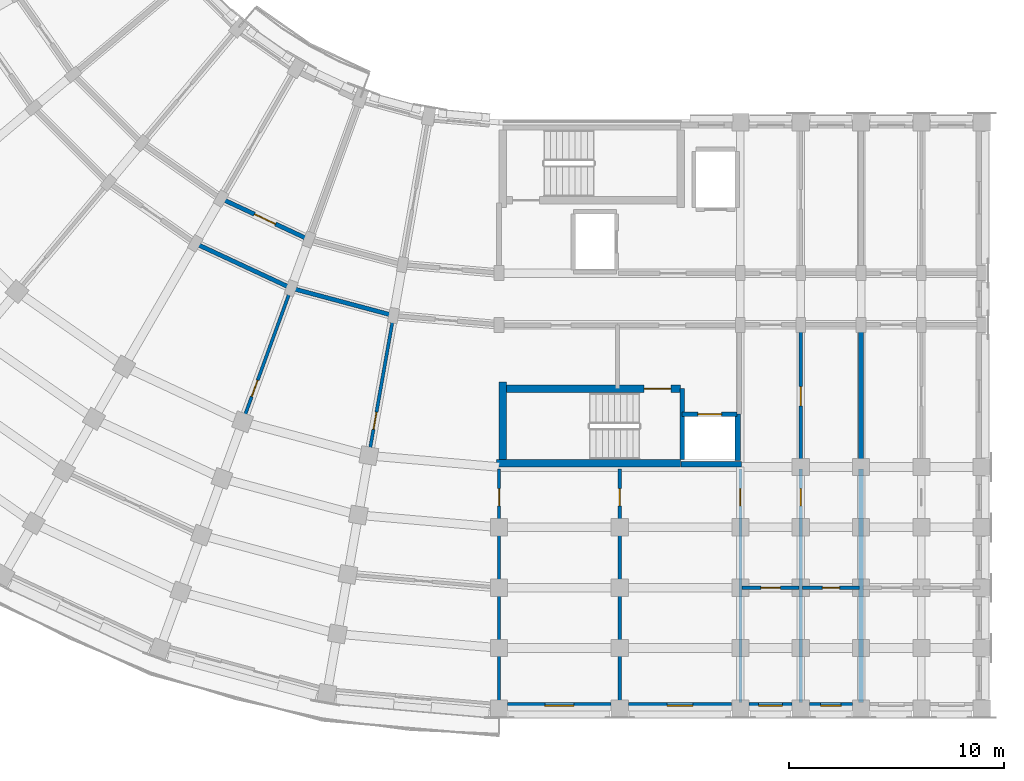
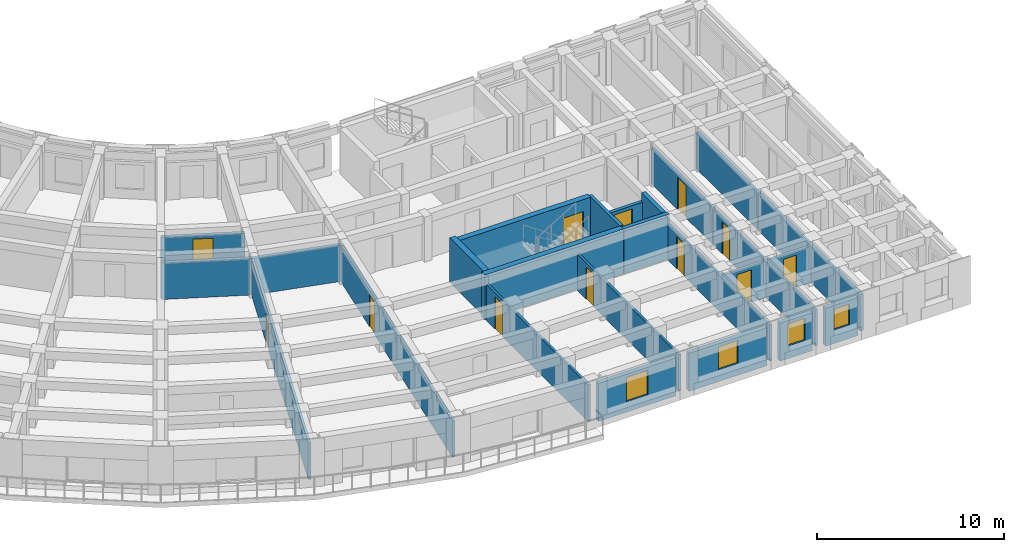
# One storey, part 16 of 54: 25 walls, 12 doors, 4 windows, 16 openings.
"""IFC4 building model written with IfcOpenShell, lengths in metres."""

from ifc_helpers import new_model, si_unit, direction, frame, frame_2d, origin, place, context, subcontext, project, spatial, rectangle, extrude, material, layer, layer_set, type_object, element, fill, save


model = new_model("IFC4")

# Units and contexts
model_context = context("Model", 3, precision=1e-05, world=origin(), true_north=direction((0.0, 1.0)))
body_context = subcontext(model_context, "Body", "Model", "MODEL_VIEW")
ifc_project = project(units=[si_unit("LENGTHUNIT", "METRE"), si_unit("AREAUNIT", "SQUARE_METRE"), si_unit("VOLUMEUNIT", "CUBIC_METRE"), si_unit("PLANEANGLEUNIT", "RADIAN"), si_unit("MASSUNIT", "GRAM", prefix="KILO")], contexts=[model_context])

# Site, building, storey
site_placement = place(None, origin())
site = spatial("IfcSite", under=ifc_project, at=site_placement, CompositionType="ELEMENT")
building_placement = place(site_placement, origin())
building = spatial("IfcBuilding", under=site, at=building_placement, Name="Kiranvali Square Residences", CompositionType="ELEMENT")
storey_placement = place(building_placement, frame((0.0, 0.0, 11.85009765625)))
storey = spatial("IfcBuildingStorey", under=building, at=storey_placement, Name="L03", CompositionType="ELEMENT", Elevation=11.85009765625)

# Wall
ifc_material_1 = material(Name="Autoclaved aerated concrete blockwork masonry", Category="masonry")
ifc_layer_1 = layer(ifc_material_1, 0.199951171875)
ifc_layer_set_1 = layer_set([ifc_layer_1], Name="Autoclaved aerated concrete blockwork masonry")
wall_type_1 = type_object("IfcWallType", Name="WL-COR-200", PredefinedType="STANDARD", material=ifc_layer_set_1)
wall_1_placement = place(storey_placement, frame((43.30322265625, 20.428466796875, 0.0), z_axis=(0.0, 0.0, 1.0), x_axis=(-0.965930095386, 0.258803112091, 0.0)))
element("IfcWall", 1, at=wall_1_placement, inside=storey, type_object=wall_type_1, Name="L03 architectural wall WL-L03-C-CCO-1", PredefinedType="STANDARD", context=body_context, shape_type="SweptSolid", body=[
    extrude(rectangle(XDim=4.915771484375, YDim=0.199951171875, at=frame_2d((2.4580078125, 0.0))), origin(), (0.0, 0.0, 1.0), 2.371826171875),
])

# Wall, opening, door
wall_2_placement = place(storey_placement, frame((39.3759765625, 23.955810546875, 0.0), z_axis=(0.0, 0.0, 1.0), x_axis=(-0.906307919131, 0.422617978463, 0.0)))
wall_2 = element("IfcWall", 2, at=wall_2_placement, inside=storey, type_object=wall_type_1, Name="L03 architectural wall WL-L03-C-CCI-2", PredefinedType="STANDARD", context=body_context, shape_type="SweptSolid", body=[
    extrude(rectangle(XDim=4.497314453125, YDim=0.199951171875, at=frame_2d((2.24853515625, 0.0))), origin(), (0.0, 0.0, 1.0), 2.371826171875),
])
opening_1_placement = place(wall_2_placement, frame((1.708740234375, 0.0, 0.0)))
opening_1 = element("IfcOpeningElement", 3, at=opening_1_placement, cuts=wall_2, Name="Opening FD-APT-60C", PredefinedType="OPENING", context=body_context, shape_type="SweptSolid", body=[
    extrude(rectangle(XDim=1.080078125, YDim=2.14990234375, at=frame_2d((0.5400390625, 1.074951171875))), frame((0.0, 0.10986328125, 0.0), z_axis=(0.0, -1.0, 0.0), x_axis=(1.0, 0.0, 0.0)), (0.0, 0.0, 1.0), 0.219970703125),
])
ifc_material_2 = material(Name="Fire-rated acoustic hardwood and mineral-core door assembly", Category="wood")
door_type_1 = type_object("IfcDoorType", Name="DR-APT-1080", OperationType="NOTDEFINED", PredefinedType="DOOR", material=ifc_material_2)
door_1_placement = place(opening_1_placement, origin())
door_1 = element("IfcDoor", 4, at=door_1_placement, inside=storey, type_object=door_type_1, Name="L03 door DR-L03-1953 (DR-APT-1080)", OperationType="SINGLE_SWING_LEFT", OverallHeight=2.14990234375, OverallWidth=1.080078125, PredefinedType="DOOR", context=body_context, shape_type="SweptSolid", body=[
    extrude(rectangle(XDim=1.080078125, YDim=2.14990234375, at=frame_2d((0.5400390625, 1.074951171875))), frame((0.0, 0.02490234375, 0.0), z_axis=(0.0, -1.0, 0.0), x_axis=(1.0, 0.0, 0.0)), (0.0, 0.0, 1.0), 0.050048828125),
])
fill(opening_1, door_1)

# Walls
wall_3_placement = place(storey_placement, frame((38.554931640625, 21.70068359375, 0.0), z_axis=(0.0, 0.0, 1.0), x_axis=(-0.906302381024, 0.422629854778, 0.0)))
element("IfcWall", 5, at=wall_3_placement, inside=storey, type_object=wall_type_1, Name="L03 architectural wall WL-L03-C-CCO-2", PredefinedType="STANDARD", context=body_context, shape_type="SweptSolid", body=[
    extrude(rectangle(XDim=4.915283203125, YDim=0.199951171875, at=frame_2d((2.45751953125, 0.0))), origin(), (0.0, 0.0, 1.0), 2.371826171875),
])
ifc_layer_2 = layer(ifc_material_1, 0.219970703125)
ifc_layer_set_2 = layer_set([ifc_layer_2], Name="Autoclaved aerated concrete blockwork masonry")
wall_type_2 = type_object("IfcWallType", Name="WL-DEM-220", PredefinedType="STANDARD", material=ifc_layer_set_2)
wall_4_placement = place(storey_placement, frame((65.0, 19.949951171875, 0.0), z_axis=(0.0, 0.0, 1.0), x_axis=(0.0, -1.0, 0.0)))
element("IfcWall", 6, at=wall_4_placement, inside=storey, type_object=wall_type_2, Name="L03 architectural wall WL-L03-C-A1TO1-2", PredefinedType="STANDARD", context=body_context, shape_type="SweptSolid", body=[
    extrude(rectangle(XDim=6.530029296875, YDim=0.219970703125, at=frame_2d((3.26513671875, 0.0))), origin(), (0.0, 0.0, 1.0), 2.371826171875),
])
wall_5_placement = place(storey_placement, frame((65.0, 13.300048828125, 0.0), z_axis=(0.0, 0.0, 1.0), x_axis=(0.0, -1.0, 0.0)))
element("IfcWall", 7, at=wall_5_placement, inside=storey, type_object=wall_type_2, Name="L03 architectural wall WL-L03-C-A1TO2-2", PredefinedType="STANDARD", context=body_context, shape_type="SweptSolid", body=[
    extrude(rectangle(XDim=10.820068359375, YDim=0.219970703125, at=frame_2d((5.41015625, 0.0))), origin(), (0.0, 0.0, 1.0), 2.371826171875),
])

# Wall, opening, window
ifc_material_3 = material(Name="Breathable lime-rendered clay brick masonry", Category="masonry")
ifc_layer_3 = layer(ifc_material_3, 0.27490234375)
ifc_layer_set_3 = layer_set([ifc_layer_3], Name="Breathable lime-rendered clay brick masonry")
wall_type_3 = type_object("IfcWallType", Name="WL-EXT-275", PredefinedType="STANDARD", material=ifc_layer_set_3)
wall_6_placement = place(storey_placement, frame((48.603515625, 2.324951171875, 0.0), z_axis=(0.0, 0.0, 1.0), x_axis=(1.0, 0.0, 0.0)))
wall_6 = element("IfcWall", 8, at=wall_6_placement, inside=storey, type_object=wall_type_3, Name="L03 exterior wall C-L03-A1O-0", PredefinedType="STANDARD", context=body_context, shape_type="SweptSolid", body=[
    extrude(rectangle(XDim=4.79296875, YDim=0.27490234375, at=frame_2d((2.396484375, 0.0))), origin(), (0.0, 0.0, 1.0), 2.471923828125),
])
opening_2_placement = place(wall_6_placement, frame((1.721435546875, 0.0, 0.672119140625)))
opening_2 = element("IfcOpeningElement", 9, at=opening_2_placement, cuts=wall_6, Name="Opening W-14", PredefinedType="OPENING", context=body_context, shape_type="SweptSolid", body=[
    extrude(rectangle(XDim=1.35009765625, YDim=1.60009765625, at=frame_2d((0.675048828125, 0.800048828125))), frame((0.0, 0.1474609375, 0.0), z_axis=(0.0, -1.0, 0.0), x_axis=(1.0, 0.0, 0.0)), (0.0, 0.0, 1.0), 0.294921875),
])
ifc_material_4 = material(Name="Solar-control low-e double glazing", Category="glass")
window_type_1 = type_object("IfcWindowType", Name="WIN-RES-1350x1600", PartitioningType="DOUBLE_PANEL_VERTICAL", PredefinedType="WINDOW", material=ifc_material_4)
window_1_placement = place(opening_2_placement, origin())
window_1 = element("IfcWindow", 10, at=window_1_placement, inside=storey, type_object=window_type_1, Name="L03 recessed window C-L03-A1O-0", OverallHeight=1.60009765625, OverallWidth=1.35009765625, PartitioningType="DOUBLE_PANEL_VERTICAL", PredefinedType="WINDOW", context=body_context, shape_type="SweptSolid", body=[
    extrude(rectangle(XDim=1.35009765625, YDim=1.60009765625, at=frame_2d((0.675048828125, 0.800048828125))), frame((0.0, 0.030029296875, 0.0), z_axis=(0.0, -1.0, 0.0), x_axis=(1.0, 0.0, 0.0)), (0.0, 0.0, 1.0), 0.06005859375),
])
fill(opening_2, window_1)

wall_7_placement = place(storey_placement, frame((54.20361328125, 2.324951171875, 0.0), z_axis=(0.0, 0.0, 1.0), x_axis=(1.0, 0.0, 0.0)))
wall_7 = element("IfcWall", 11, at=wall_7_placement, inside=storey, type_object=wall_type_3, Name="L03 exterior wall C-L03-A1O-1", PredefinedType="STANDARD", context=body_context, shape_type="SweptSolid", body=[
    extrude(rectangle(XDim=4.79296875, YDim=0.27490234375, at=frame_2d((2.396484375, 0.0))), origin(), (0.0, 0.0, 1.0), 2.471923828125),
])
opening_3_placement = place(wall_7_placement, frame((1.79638671875, 0.0, 0.77197265625)))
opening_3 = element("IfcOpeningElement", 12, at=opening_3_placement, cuts=wall_7, Name="Opening W-06", PredefinedType="OPENING", context=body_context, shape_type="SweptSolid", body=[
    extrude(rectangle(XDim=1.199951171875, YDim=1.5, at=frame_2d((0.60009765625, 0.75))), frame((0.0, 0.1474609375, 0.0), z_axis=(0.0, -1.0, 0.0), x_axis=(1.0, 0.0, 0.0)), (0.0, 0.0, 1.0), 0.294921875),
])
window_type_2 = type_object("IfcWindowType", Name="WIN-RES-1200x1500", PartitioningType="SINGLE_PANEL", PredefinedType="WINDOW", material=ifc_material_4)
window_2_placement = place(opening_3_placement, origin())
window_2 = element("IfcWindow", 13, at=window_2_placement, inside=storey, type_object=window_type_2, Name="L03 recessed window C-L03-A1O-1", OverallHeight=1.5, OverallWidth=1.199951171875, PartitioningType="SINGLE_PANEL", PredefinedType="WINDOW", context=body_context, shape_type="SweptSolid", body=[
    extrude(rectangle(XDim=1.199951171875, YDim=1.5, at=frame_2d((0.60009765625, 0.75))), frame((0.0, 0.030029296875, 0.0), z_axis=(0.0, -1.0, 0.0), x_axis=(1.0, 0.0, 0.0)), (0.0, 0.0, 1.0), 0.06005859375),
])
fill(opening_3, window_2)

wall_8_placement = place(storey_placement, frame((59.803466796875, 2.324951171875, 0.0), z_axis=(0.0, 0.0, 1.0), x_axis=(1.0, 0.0, 0.0)))
wall_8 = element("IfcWall", 14, at=wall_8_placement, inside=storey, type_object=wall_type_3, Name="L03 exterior wall C-L03-A1O-2", PredefinedType="STANDARD", context=body_context, shape_type="SweptSolid", body=[
    extrude(rectangle(XDim=1.992919921875, YDim=0.27490234375, at=frame_2d((0.99658203125, 0.0))), origin(), (0.0, 0.0, 1.0), 2.471923828125),
])
opening_4_placement = place(wall_8_placement, frame((0.446533203125, 0.0, 0.822021484375)))
opening_4 = element("IfcOpeningElement", 15, at=opening_4_placement, cuts=wall_8, Name="Opening W-15", PredefinedType="OPENING", context=body_context, shape_type="SweptSolid", body=[
    extrude(rectangle(XDim=1.10009765625, YDim=1.449951171875, at=frame_2d((0.550048828125, 0.72509765625))), frame((0.0, 0.1474609375, 0.0), z_axis=(0.0, -1.0, 0.0), x_axis=(1.0, 0.0, 0.0)), (0.0, 0.0, 1.0), 0.294921875),
])
window_type_3 = type_object("IfcWindowType", Name="WIN-RES-1100x1450", PartitioningType="SINGLE_PANEL", PredefinedType="WINDOW", material=ifc_material_4)
window_3_placement = place(opening_4_placement, origin())
window_3 = element("IfcWindow", 16, at=window_3_placement, inside=storey, type_object=window_type_3, Name="L03 recessed window C-L03-A1O-2", OverallHeight=1.449951171875, OverallWidth=1.10009765625, PartitioningType="SINGLE_PANEL", PredefinedType="WINDOW", context=body_context, shape_type="SweptSolid", body=[
    extrude(rectangle(XDim=1.10009765625, YDim=1.449951171875, at=frame_2d((0.550048828125, 0.72509765625))), frame((0.0, 0.030029296875, 0.0), z_axis=(0.0, -1.0, 0.0), x_axis=(1.0, 0.0, 0.0)), (0.0, 0.0, 1.0), 0.06005859375),
])
fill(opening_4, window_3)

wall_9_placement = place(storey_placement, frame((62.603515625, 2.324951171875, 0.0), z_axis=(0.0, 0.0, 1.0), x_axis=(1.0, 0.0, 0.0)))
wall_9 = element("IfcWall", 17, at=wall_9_placement, inside=storey, type_object=wall_type_3, Name="L03 exterior wall C-L03-A1O-3", PredefinedType="STANDARD", context=body_context, shape_type="SweptSolid", body=[
    extrude(rectangle(XDim=1.992919921875, YDim=0.27490234375, at=frame_2d((0.99658203125, 0.0))), origin(), (0.0, 0.0, 1.0), 2.471923828125),
])
opening_5_placement = place(wall_9_placement, frame((0.521484375, 0.0, 0.8798828125)))
opening_5 = element("IfcOpeningElement", 18, at=opening_5_placement, cuts=wall_9, Name="Opening W-16", PredefinedType="OPENING", context=body_context, shape_type="SweptSolid", body=[
    extrude(rectangle(XDim=0.949951171875, YDim=1.35009765625, at=frame_2d((0.47509765625, 0.675048828125))), frame((0.0, 0.1474609375, 0.0), z_axis=(0.0, -1.0, 0.0), x_axis=(1.0, 0.0, 0.0)), (0.0, 0.0, 1.0), 0.294921875),
])
window_type_4 = type_object("IfcWindowType", Name="WIN-RES-950x1350", PartitioningType="SINGLE_PANEL", PredefinedType="WINDOW", material=ifc_material_4)
window_4_placement = place(opening_5_placement, origin())
window_4 = element("IfcWindow", 19, at=window_4_placement, inside=storey, type_object=window_type_4, Name="L03 recessed window C-L03-A1O-3", OverallHeight=1.35009765625, OverallWidth=0.949951171875, PartitioningType="SINGLE_PANEL", PredefinedType="WINDOW", context=body_context, shape_type="SweptSolid", body=[
    extrude(rectangle(XDim=0.949951171875, YDim=1.35009765625, at=frame_2d((0.47509765625, 0.675048828125))), frame((0.0, 0.030029296875, 0.0), z_axis=(0.0, -1.0, 0.0), x_axis=(1.0, 0.0, 0.0)), (0.0, 0.0, 1.0), 0.06005859375),
])
fill(opening_5, window_4)

# Wall, opening, door
ifc_layer_4 = layer(ifc_material_1, 0.199951171875)
ifc_layer_set_4 = layer_set([ifc_layer_4], Name="Autoclaved aerated concrete blockwork masonry")
wall_type_4 = type_object("IfcWallType", Name="WL-FFL-200", PredefinedType="STANDARD", material=ifc_layer_set_4)
wall_10_placement = place(storey_placement, frame((56.699951171875, 15.85009765625, 0.0), z_axis=(0.0, 0.0, 1.0), x_axis=(1.0, 0.0, 0.0)))
wall_10 = element("IfcWall", 20, at=wall_10_placement, inside=storey, type_object=wall_type_4, Name="L03 architectural wall WL-L03-C-FF-LFT", PredefinedType="STANDARD", context=body_context, shape_type="SweptSolid", body=[
    extrude(rectangle(XDim=2.550048828125, YDim=0.199951171875, at=frame_2d((1.27490234375, 0.0))), origin(), (0.0, 0.0, 1.0), 2.371826171875),
])
opening_6_placement = place(wall_10_placement, frame((0.72509765625, 0.0, 0.0)))
opening_6 = element("IfcOpeningElement", 21, at=opening_6_placement, cuts=wall_10, Name="Opening LD-FF-110", PredefinedType="OPENING", context=body_context, shape_type="SweptSolid", body=[
    extrude(rectangle(XDim=1.10009765625, YDim=2.14990234375, at=frame_2d((0.550048828125, 1.074951171875))), frame((0.0, 0.10986328125, 0.0), z_axis=(0.0, -1.0, 0.0), x_axis=(1.0, 0.0, 0.0)), (0.0, 0.0, 1.0), 0.219970703125),
])
door_type_2 = type_object("IfcDoorType", Name="DR-LIFT-FF-1100", OperationType="SLIDING_TO_LEFT", PredefinedType="DOOR", material=ifc_material_2)
door_2_placement = place(opening_6_placement, origin())
door_2 = element("IfcDoor", 22, at=door_2_placement, inside=storey, type_object=door_type_2, Name="L03 door DR-L03-1907 (DR-LIFT-FF-1100)", OperationType="SLIDING_TO_LEFT", OverallHeight=2.14990234375, OverallWidth=1.10009765625, PredefinedType="DOOR", context=body_context, shape_type="SweptSolid", body=[
    extrude(rectangle(XDim=1.10009765625, YDim=2.14990234375, at=frame_2d((0.550048828125, 1.074951171875))), frame((0.0, 0.02490234375, 0.0), z_axis=(0.0, -1.0, 0.0), x_axis=(1.0, 0.0, 0.0)), (0.0, 0.0, 1.0), 0.050048828125),
])
fill(opening_6, door_2)

ifc_material_5 = material(Name="Acoustic gypsum board drylined partition", Category="gypsum")
ifc_layer_5 = layer(ifc_material_5, 0.14990234375)
ifc_layer_set_5 = layer_set([ifc_layer_5], Name="Acoustic gypsum board drylined partition")
wall_type_5 = type_object("IfcWallType", Name="WL-PRT-150", PredefinedType="PARTITIONING", material=ifc_layer_set_5)
wall_11_placement = place(storey_placement, frame((53.800048828125, 13.300048828125, 0.0), z_axis=(0.0, 0.0, 1.0), x_axis=(0.0, -1.0, 0.0)))
wall_11 = element("IfcWall", 23, at=wall_11_placement, inside=storey, type_object=wall_type_5, Name="L03 architectural wall WL-L03-C-CF-MID", PredefinedType="PARTITIONING", context=body_context, shape_type="SweptSolid", body=[
    extrude(rectangle(XDim=10.820068359375, YDim=0.14990234375, at=frame_2d((5.41015625, 0.0))), origin(), (0.0, 0.0, 1.0), 2.371826171875),
])
opening_7_placement = place(wall_11_placement, frame((0.8994140625, 0.0, 0.0)))
opening_7 = element("IfcOpeningElement", 24, at=opening_7_placement, cuts=wall_11, Name="Opening ID-WET", PredefinedType="OPENING", context=body_context, shape_type="SweptSolid", body=[
    extrude(rectangle(XDim=0.800048828125, YDim=2.10009765625, at=frame_2d((0.39990234375, 1.050048828125))), frame((0.0, 0.0849609375, 0.0), z_axis=(0.0, -1.0, 0.0), x_axis=(1.0, 0.0, 0.0)), (0.0, 0.0, 1.0), 0.169921875),
])
ifc_material_6 = material(Name="Solid seasoned teak hardwood joinery", Category="wood")
door_type_3 = type_object("IfcDoorType", Name="DR-WET-800", OperationType="NOTDEFINED", PredefinedType="DOOR", material=ifc_material_6)
door_3_placement = place(opening_7_placement, frame((0.800048828125, 0.0, 0.0), z_axis=(0.0, 0.0, 1.0), x_axis=(-1.0, 0.0, 0.0)))
door_3 = element("IfcDoor", 25, at=door_3_placement, inside=storey, type_object=door_type_3, Name="L03 door DR-L03-1916 (DR-WET-800)", OperationType="SINGLE_SWING_RIGHT", OverallHeight=2.10009765625, OverallWidth=0.800048828125, PredefinedType="DOOR", context=body_context, shape_type="SweptSolid", body=[
    extrude(rectangle(XDim=0.800048828125, YDim=2.10009765625, at=frame_2d((0.39990234375, 1.050048828125))), frame((0.0, 0.02490234375, 0.0), z_axis=(0.0, -1.0, 0.0), x_axis=(1.0, 0.0, 0.0)), (0.0, 0.0, 1.0), 0.050048828125),
])
fill(opening_7, door_3)

wall_12_placement = place(storey_placement, frame((59.39990234375, 13.300048828125, 0.0), z_axis=(0.0, 0.0, 1.0), x_axis=(0.0, -1.0, 0.0)))
wall_12 = element("IfcWall", 26, at=wall_12_placement, inside=storey, type_object=wall_type_5, Name="L03 architectural wall WL-L03-C-A1TO2-0", PredefinedType="PARTITIONING", context=body_context, shape_type="SweptSolid", body=[
    extrude(rectangle(XDim=10.820068359375, YDim=0.14990234375, at=frame_2d((5.41015625, 0.0))), origin(), (0.0, 0.0, 1.0), 2.371826171875),
])
opening_8_placement = place(wall_12_placement, frame((0.8994140625, 0.0, 0.0)))
opening_8 = element("IfcOpeningElement", 27, at=opening_8_placement, cuts=wall_12, Name="Opening ID-WET", PredefinedType="OPENING", context=body_context, shape_type="SweptSolid", body=[
    extrude(rectangle(XDim=0.800048828125, YDim=2.10009765625, at=frame_2d((0.39990234375, 1.050048828125))), frame((0.0, 0.0849609375, 0.0), z_axis=(0.0, -1.0, 0.0), x_axis=(1.0, 0.0, 0.0)), (0.0, 0.0, 1.0), 0.169921875),
])
door_4_placement = place(opening_8_placement, origin())
door_4 = element("IfcDoor", 28, at=door_4_placement, inside=storey, type_object=door_type_3, Name="L03 door DR-L03-1925 (DR-WET-800)", OperationType="SINGLE_SWING_LEFT", OverallHeight=2.10009765625, OverallWidth=0.800048828125, PredefinedType="DOOR", context=body_context, shape_type="SweptSolid", body=[
    extrude(rectangle(XDim=0.800048828125, YDim=2.10009765625, at=frame_2d((0.39990234375, 1.050048828125))), frame((0.0, 0.02490234375, 0.0), z_axis=(0.0, -1.0, 0.0), x_axis=(1.0, 0.0, 0.0)), (0.0, 0.0, 1.0), 0.050048828125),
])
fill(opening_8, door_4)

wall_13_placement = place(storey_placement, frame((62.199951171875, 19.949951171875, 0.0), z_axis=(0.0, 0.0, 1.0), x_axis=(0.0, -1.0, 0.0)))
wall_13 = element("IfcWall", 29, at=wall_13_placement, inside=storey, type_object=wall_type_5, Name="L03 architectural wall WL-L03-C-A1TO1-1", PredefinedType="PARTITIONING", context=body_context, shape_type="SweptSolid", body=[
    extrude(rectangle(XDim=6.530029296875, YDim=0.14990234375, at=frame_2d((3.26513671875, 0.0))), origin(), (0.0, 0.0, 1.0), 2.371826171875),
])
opening_9_placement = place(wall_13_placement, frame((2.81494140625, 0.0, 0.0)))
opening_9 = element("IfcOpeningElement", 30, at=opening_9_placement, cuts=wall_13, Name="Opening ID-1", PredefinedType="OPENING", context=body_context, shape_type="SweptSolid", body=[
    extrude(rectangle(XDim=0.89990234375, YDim=2.10009765625, at=frame_2d((0.449951171875, 1.050048828125))), frame((0.0, 0.0849609375, 0.0), z_axis=(0.0, -1.0, 0.0), x_axis=(1.0, 0.0, 0.0)), (0.0, 0.0, 1.0), 0.169921875),
])
door_type_4 = type_object("IfcDoorType", Name="DR-INT-900", OperationType="NOTDEFINED", PredefinedType="DOOR", material=ifc_material_6)
door_5_placement = place(opening_9_placement, origin())
door_5 = element("IfcDoor", 31, at=door_5_placement, inside=storey, type_object=door_type_4, Name="L03 door DR-L03-1927 (DR-INT-900)", OperationType="SINGLE_SWING_LEFT", OverallHeight=2.10009765625, OverallWidth=0.89990234375, PredefinedType="DOOR", context=body_context, shape_type="SweptSolid", body=[
    extrude(rectangle(XDim=0.89990234375, YDim=2.10009765625, at=frame_2d((0.449951171875, 1.050048828125))), frame((0.0, 0.02490234375, 0.0), z_axis=(0.0, -1.0, 0.0), x_axis=(1.0, 0.0, 0.0)), (0.0, 0.0, 1.0), 0.050048828125),
])
fill(opening_9, door_5)

wall_14_placement = place(storey_placement, frame((62.199951171875, 13.300048828125, 0.0), z_axis=(0.0, 0.0, 1.0), x_axis=(0.0, -1.0, 0.0)))
wall_14 = element("IfcWall", 32, at=wall_14_placement, inside=storey, type_object=wall_type_5, Name="L03 architectural wall WL-L03-C-A1TO2-1", PredefinedType="PARTITIONING", context=body_context, shape_type="SweptSolid", body=[
    extrude(rectangle(XDim=10.820068359375, YDim=0.14990234375, at=frame_2d((5.41015625, 0.0))), origin(), (0.0, 0.0, 1.0), 2.371826171875),
])
opening_10_placement = place(wall_14_placement, frame((0.8994140625, 0.0, 0.0)))
opening_10 = element("IfcOpeningElement", 33, at=opening_10_placement, cuts=wall_14, Name="Opening ID-WET", PredefinedType="OPENING", context=body_context, shape_type="SweptSolid", body=[
    extrude(rectangle(XDim=0.800048828125, YDim=2.10009765625, at=frame_2d((0.39990234375, 1.050048828125))), frame((0.0, 0.0849609375, 0.0), z_axis=(0.0, -1.0, 0.0), x_axis=(1.0, 0.0, 0.0)), (0.0, 0.0, 1.0), 0.169921875),
])
door_6_placement = place(opening_10_placement, frame((0.800048828125, 0.0, 0.0), z_axis=(0.0, 0.0, 1.0), x_axis=(-1.0, 0.0, 0.0)))
door_6 = element("IfcDoor", 34, at=door_6_placement, inside=storey, type_object=door_type_3, Name="L03 door DR-L03-1928 (DR-WET-800)", OperationType="SINGLE_SWING_RIGHT", OverallHeight=2.10009765625, OverallWidth=0.800048828125, PredefinedType="DOOR", context=body_context, shape_type="SweptSolid", body=[
    extrude(rectangle(XDim=0.800048828125, YDim=2.10009765625, at=frame_2d((0.39990234375, 1.050048828125))), frame((0.0, 0.02490234375, 0.0), z_axis=(0.0, -1.0, 0.0), x_axis=(1.0, 0.0, 0.0)), (0.0, 0.0, 1.0), 0.050048828125),
])
fill(opening_10, door_6)

wall_15_placement = place(storey_placement, frame((48.199951171875, 13.300048828125, 0.0), z_axis=(0.0, 0.0, 1.0), x_axis=(0.0, -1.0, 0.0)))
wall_15 = element("IfcWall", 35, at=wall_15_placement, inside=storey, type_object=wall_type_5, Name="L03 architectural wall WL-L03-C-RADO-0", PredefinedType="PARTITIONING", context=body_context, shape_type="SweptSolid", body=[
    extrude(rectangle(XDim=10.820068359375, YDim=0.14990234375, at=frame_2d((5.41015625, 0.0))), origin(), (0.0, 0.0, 1.0), 2.371826171875),
])
opening_11_placement = place(wall_15_placement, frame((0.8994140625, 0.0, 0.0)))
opening_11 = element("IfcOpeningElement", 36, at=opening_11_placement, cuts=wall_15, Name="Opening ID-WET", PredefinedType="OPENING", context=body_context, shape_type="SweptSolid", body=[
    extrude(rectangle(XDim=0.800048828125, YDim=2.10009765625, at=frame_2d((0.39990234375, 1.050048828125))), frame((0.0, 0.0849609375, 0.0), z_axis=(0.0, -1.0, 0.0), x_axis=(1.0, 0.0, 0.0)), (0.0, 0.0, 1.0), 0.169921875),
])
door_7_placement = place(opening_11_placement, frame((0.800048828125, 0.0, 0.0), z_axis=(0.0, 0.0, 1.0), x_axis=(-1.0, 0.0, 0.0)))
door_7 = element("IfcDoor", 37, at=door_7_placement, inside=storey, type_object=door_type_3, Name="L03 door DR-L03-1932 (DR-WET-800)", OperationType="SINGLE_SWING_RIGHT", OverallHeight=2.10009765625, OverallWidth=0.800048828125, PredefinedType="DOOR", context=body_context, shape_type="SweptSolid", body=[
    extrude(rectangle(XDim=0.800048828125, YDim=2.10009765625, at=frame_2d((0.39990234375, 1.050048828125))), frame((0.0, 0.02490234375, 0.0), z_axis=(0.0, -1.0, 0.0), x_axis=(1.0, 0.0, 0.0)), (0.0, 0.0, 1.0), 0.050048828125),
])
fill(opening_11, door_7)

wall_16_placement = place(storey_placement, frame((43.28564453125, 20.329833984375, 0.0), z_axis=(0.0, 0.0, 1.0), x_axis=(-0.173646216546, -0.984808098809, 0.0)))
wall_16 = element("IfcWall", 38, at=wall_16_placement, inside=storey, type_object=wall_type_5, Name="L03 architectural wall WL-L03-C-RADO-1", PredefinedType="PARTITIONING", context=body_context, shape_type="SweptSolid", body=[
    extrude(rectangle(XDim=17.419921875, YDim=0.14990234375, at=frame_2d((8.7099609375, 0.0))), origin(), (0.0, 0.0, 1.0), 2.371826171875),
])
opening_12_placement = place(wall_16_placement, frame((4.44970703125, 0.0, 0.0)))
opening_12 = element("IfcOpeningElement", 39, at=opening_12_placement, cuts=wall_16, Name="Opening ID-WET", PredefinedType="OPENING", context=body_context, shape_type="SweptSolid", body=[
    extrude(rectangle(XDim=0.800048828125, YDim=2.10009765625, at=frame_2d((0.39990234375, 1.050048828125))), frame((0.0, 0.0849609375, 0.0), z_axis=(0.0, -1.0, 0.0), x_axis=(1.0, 0.0, 0.0)), (0.0, 0.0, 1.0), 0.169921875),
])
door_8_placement = place(opening_12_placement, frame((0.800048828125, 0.0, 0.0), z_axis=(0.0, 0.0, 1.0), x_axis=(-1.0, 0.0, 0.0)))
door_8 = element("IfcDoor", 40, at=door_8_placement, inside=storey, type_object=door_type_3, Name="L03 door DR-L03-1934 (DR-WET-800)", OperationType="SINGLE_SWING_RIGHT", OverallHeight=2.10009765625, OverallWidth=0.800048828125, PredefinedType="DOOR", context=body_context, shape_type="SweptSolid", body=[
    extrude(rectangle(XDim=0.800048828125, YDim=2.10009765625, at=frame_2d((0.39990234375, 1.050048828125))), frame((0.0, 0.02490234375, 0.0), z_axis=(0.0, -1.0, 0.0), x_axis=(1.0, 0.0, 0.0)), (0.0, 0.0, 1.0), 0.050048828125),
])
fill(opening_12, door_8)

wall_17_placement = place(storey_placement, frame((38.520751953125, 21.606689453125, 0.0), z_axis=(0.0, 0.0, 1.0), x_axis=(-0.342022120477, -0.939691901159, 0.0)))
wall_17 = element("IfcWall", 41, at=wall_17_placement, inside=storey, type_object=wall_type_5, Name="L03 architectural wall WL-L03-C-RADO-2", PredefinedType="PARTITIONING", context=body_context, shape_type="SweptSolid", body=[
    extrude(rectangle(XDim=17.419921875, YDim=0.14990234375, at=frame_2d((8.7099609375, 0.0))), origin(), (0.0, 0.0, 1.0), 2.371826171875),
])
opening_13_placement = place(wall_17_placement, frame((4.44970703125, 0.0, 0.0)))
opening_13 = element("IfcOpeningElement", 42, at=opening_13_placement, cuts=wall_17, Name="Opening ID-WET", PredefinedType="OPENING", context=body_context, shape_type="SweptSolid", body=[
    extrude(rectangle(XDim=0.800048828125, YDim=2.10009765625, at=frame_2d((0.39990234375, 1.050048828125))), frame((0.0, 0.0849609375, 0.0), z_axis=(0.0, -1.0, 0.0), x_axis=(1.0, 0.0, 0.0)), (0.0, 0.0, 1.0), 0.169921875),
])
door_9_placement = place(opening_13_placement, origin())
door_9 = element("IfcDoor", 43, at=door_9_placement, inside=storey, type_object=door_type_3, Name="L03 door DR-L03-1935 (DR-WET-800)", OperationType="SINGLE_SWING_LEFT", OverallHeight=2.10009765625, OverallWidth=0.800048828125, PredefinedType="DOOR", context=body_context, shape_type="SweptSolid", body=[
    extrude(rectangle(XDim=0.800048828125, YDim=2.10009765625, at=frame_2d((0.39990234375, 1.050048828125))), frame((0.0, 0.02490234375, 0.0), z_axis=(0.0, -1.0, 0.0), x_axis=(1.0, 0.0, 0.0)), (0.0, 0.0, 1.0), 0.050048828125),
])
fill(opening_13, door_9)

# Walls
ifc_layer_6 = layer(ifc_material_1, 0.199951171875)
ifc_layer_set_6 = layer_set([ifc_layer_6], Name="Autoclaved aerated concrete blockwork masonry")
wall_type_6 = type_object("IfcWallType", Name="WL-SHF-200", PredefinedType="STANDARD", material=ifc_layer_set_6)
wall_18_placement = place(storey_placement, frame((56.699951171875, 17.050048828125, 0.0), z_axis=(0.0, 0.0, 1.0), x_axis=(0.0, -1.0, 0.0)))
element("IfcWall", 44, at=wall_18_placement, inside=storey, type_object=wall_type_6, Name="L03 architectural wall WL-L03-C-FF-SHF", PredefinedType="STANDARD", context=body_context, shape_type="SweptSolid", body=[
    extrude(rectangle(XDim=3.300048828125, YDim=0.199951171875, at=frame_2d((1.64990234375, 0.0))), origin(), (0.0, 0.0, 1.0), 2.929931640625),
])
ifc_material_7 = material(Name="Concrete M45 (45 MPa)", Category="concrete")
ifc_layer_7 = layer(ifc_material_7, 0.25)
ifc_layer_set_7 = layer_set([ifc_layer_7], Name="Concrete M45 (45 MPa)")
wall_type_7 = type_object("IfcWallType", Name="WL-SHR-250", PredefinedType="SHEAR", material=ifc_layer_set_7)
wall_19_placement = place(storey_placement, frame((56.64990234375, 13.52490234375, 0.0), z_axis=(0.0, 0.0, 1.0), x_axis=(1.0, 0.0, 0.0)))
element("IfcWall", 45, at=wall_19_placement, inside=storey, type_object=wall_type_7, Name="Block C core shear wall SW-CFF-BK-L03", PredefinedType="SHEAR", context=body_context, shape_type="SweptSolid", body=[
    extrude(rectangle(XDim=2.800048828125, YDim=0.25, at=frame_2d((1.39990234375, 0.0))), origin(), (0.0, 0.0, 1.0), 2.929931640625),
])
wall_20_placement = place(storey_placement, frame((59.27490234375, 15.85009765625, 0.0), z_axis=(0.0, 0.0, 1.0), x_axis=(0.0, -1.0, 0.0)))
element("IfcWall", 46, at=wall_20_placement, inside=storey, type_object=wall_type_7, Name="Block C core shear wall SW-CFF-SD-L03", PredefinedType="SHEAR", context=body_context, shape_type="SweptSolid", body=[
    extrude(rectangle(XDim=2.150146484375, YDim=0.25, at=frame_2d((1.0751953125, 0.0))), origin(), (0.0, 0.0, 1.0), 2.929931640625),
])
ifc_material_8 = material(Name="Concrete M50 (50 MPa)", Category="concrete")
ifc_layer_8 = layer(ifc_material_8, 0.35009765625)
ifc_layer_set_8 = layer_set([ifc_layer_8], Name="Concrete M50 (50 MPa)")
wall_type_8 = type_object("IfcWallType", Name="WL-SHR-350", PredefinedType="SHEAR", material=ifc_layer_set_8)
wall_21_placement = place(storey_placement, frame((48.080078125, 13.574951171875, 0.0), z_axis=(0.0, 0.0, 1.0), x_axis=(1.0, 0.0, 0.0)))
element("IfcWall", 47, at=wall_21_placement, inside=storey, type_object=wall_type_8, Name="Block C core shear wall SW-C1-OUT-L03", PredefinedType="SHEAR", context=body_context, shape_type="SweptSolid", body=[
    extrude(rectangle(XDim=8.544921875, YDim=0.35009765625, at=frame_2d((4.2724609375, 0.0))), origin(), (0.0, 0.0, 1.0), 2.929931640625),
])

# Wall, opening, door
wall_22_placement = place(storey_placement, frame((48.550048828125, 17.02490234375, 0.0), z_axis=(0.0, 0.0, 1.0), x_axis=(1.0, 0.0, 0.0)))
wall_22 = element("IfcWall", 48, at=wall_22_placement, inside=storey, type_object=wall_type_8, Name="Block C core shear wall SW-C1-IN-L03", PredefinedType="SHEAR", context=body_context, shape_type="SweptSolid", body=[
    extrude(rectangle(XDim=8.074951171875, YDim=0.35009765625, at=frame_2d((4.03759765625, 0.0))), origin(), (0.0, 0.0, 1.0), 2.929931640625),
])
opening_14_placement = place(wall_22_placement, frame((6.3798828125, 0.0, 0.0)))
opening_14 = element("IfcOpeningElement", 49, at=opening_14_placement, cuts=wall_22, Name="Opening FD-ST-120", PredefinedType="OPENING", context=body_context, shape_type="SweptSolid", body=[
    extrude(rectangle(XDim=1.239990234375, YDim=2.14990234375, at=frame_2d((0.6201171875, 1.074951171875))), frame((0.0, 0.18505859375, 0.0), z_axis=(0.0, -1.0, 0.0), x_axis=(1.0, 0.0, 0.0)), (0.0, 0.0, 1.0), 0.3701171875),
])
door_type_5 = type_object("IfcDoorType", Name="DR-FD120-1200", OperationType="NOTDEFINED", PredefinedType="DOOR", material=ifc_material_2)
door_10_placement = place(opening_14_placement, frame((1.239990234375, 0.0, 0.0), z_axis=(0.0, 0.0, 1.0), x_axis=(-1.0, 0.0, 0.0)))
door_10 = element("IfcDoor", 50, at=door_10_placement, inside=storey, type_object=door_type_5, Name="L03 door DR-L03-1908 (DR-FD120-1200)", OperationType="SINGLE_SWING_RIGHT", OverallHeight=2.14990234375, OverallWidth=1.239990234375, PredefinedType="DOOR", context=body_context, shape_type="SweptSolid", body=[
    extrude(rectangle(XDim=1.239990234375, YDim=2.14990234375, at=frame_2d((0.6201171875, 1.074951171875))), frame((0.0, 0.02490234375, 0.0), z_axis=(0.0, -1.0, 0.0), x_axis=(1.0, 0.0, 0.0)), (0.0, 0.0, 1.0), 0.050048828125),
])
fill(opening_14, door_10)

# Wall
wall_23_placement = place(storey_placement, frame((48.375, 17.35009765625, 0.0), z_axis=(0.0, 0.0, 1.0), x_axis=(0.0, -1.0, 0.0)))
element("IfcWall", 51, at=wall_23_placement, inside=storey, type_object=wall_type_8, Name="Block C core shear wall SW-C1-FAR-L03", PredefinedType="SHEAR", context=body_context, shape_type="SweptSolid", body=[
    extrude(rectangle(XDim=3.60009765625, YDim=0.35009765625, at=frame_2d((1.800048828125, 0.0))), origin(), (0.0, 0.0, 1.0), 2.929931640625),
])

# Wall, opening, door
ifc_layer_9 = layer(ifc_material_1, 0.159912109375)
ifc_layer_set_9 = layer_set([ifc_layer_9], Name="Autoclaved aerated concrete blockwork masonry")
wall_type_9 = type_object("IfcWallType", Name="WL-WET-160", PredefinedType="PLUMBINGWALL", material=ifc_layer_set_9)
wall_24_placement = place(storey_placement, frame((59.47998046875, 7.800048828125, 0.0), z_axis=(0.0, 0.0, 1.0), x_axis=(1.0, 0.0, 0.0)))
wall_24 = element("IfcWall", 52, at=wall_24_placement, inside=storey, type_object=wall_type_9, Name="L03 architectural wall WL-L03-C-A1SP-0", PredefinedType="PLUMBINGWALL", context=body_context, shape_type="SweptSolid", body=[
    extrude(rectangle(XDim=2.64013671875, YDim=0.159912109375, at=frame_2d((1.320068359375, 0.0))), origin(), (0.0, 0.0, 1.0), 2.371826171875),
])
opening_15_placement = place(wall_24_placement, frame((0.8701171875, 0.0, 0.0)))
opening_15 = element("IfcOpeningElement", 53, at=opening_15_placement, cuts=wall_24, Name="Opening ID-1", PredefinedType="OPENING", context=body_context, shape_type="SweptSolid", body=[
    extrude(rectangle(XDim=0.89990234375, YDim=2.10009765625, at=frame_2d((0.449951171875, 1.050048828125))), frame((0.0, 0.08984375, 0.0), z_axis=(0.0, -1.0, 0.0), x_axis=(1.0, 0.0, 0.0)), (0.0, 0.0, 1.0), 0.179931640625),
])
door_11_placement = place(opening_15_placement, frame((0.89990234375, 0.0, 0.0), z_axis=(0.0, 0.0, 1.0), x_axis=(-1.0, 0.0, 0.0)))
door_11 = element("IfcDoor", 54, at=door_11_placement, inside=storey, type_object=door_type_4, Name="L03 door DR-L03-1918 (DR-INT-900)", OperationType="SINGLE_SWING_RIGHT", OverallHeight=2.10009765625, OverallWidth=0.89990234375, PredefinedType="DOOR", context=body_context, shape_type="SweptSolid", body=[
    extrude(rectangle(XDim=0.89990234375, YDim=2.10009765625, at=frame_2d((0.449951171875, 1.050048828125))), frame((0.0, 0.02490234375, 0.0), z_axis=(0.0, -1.0, 0.0), x_axis=(1.0, 0.0, 0.0)), (0.0, 0.0, 1.0), 0.050048828125),
])
fill(opening_15, door_11)

wall_25_placement = place(storey_placement, frame((62.280029296875, 7.800048828125, 0.0), z_axis=(0.0, 0.0, 1.0), x_axis=(1.0, 0.0, 0.0)))
wall_25 = element("IfcWall", 55, at=wall_25_placement, inside=storey, type_object=wall_type_9, Name="L03 architectural wall WL-L03-C-A1SP-1", PredefinedType="PLUMBINGWALL", context=body_context, shape_type="SweptSolid", body=[
    extrude(rectangle(XDim=2.639892578125, YDim=0.159912109375, at=frame_2d((1.31982421875, 0.0))), origin(), (0.0, 0.0, 1.0), 2.371826171875),
])
opening_16_placement = place(wall_25_placement, frame((0.919921875, 0.0, 0.0)))
opening_16 = element("IfcOpeningElement", 56, at=opening_16_placement, cuts=wall_25, Name="Opening ID-WET", PredefinedType="OPENING", context=body_context, shape_type="SweptSolid", body=[
    extrude(rectangle(XDim=0.800048828125, YDim=2.10009765625, at=frame_2d((0.39990234375, 1.050048828125))), frame((0.0, 0.08984375, 0.0), z_axis=(0.0, -1.0, 0.0), x_axis=(1.0, 0.0, 0.0)), (0.0, 0.0, 1.0), 0.179931640625),
])
door_12_placement = place(opening_16_placement, frame((0.800048828125, 0.0, 0.0), z_axis=(0.0, 0.0, 1.0), x_axis=(-1.0, 0.0, 0.0)))
door_12 = element("IfcDoor", 57, at=door_12_placement, inside=storey, type_object=door_type_3, Name="L03 door DR-L03-1920 (DR-WET-800)", OperationType="SINGLE_SWING_RIGHT", OverallHeight=2.10009765625, OverallWidth=0.800048828125, PredefinedType="DOOR", context=body_context, shape_type="SweptSolid", body=[
    extrude(rectangle(XDim=0.800048828125, YDim=2.10009765625, at=frame_2d((0.39990234375, 1.050048828125))), frame((0.0, 0.02490234375, 0.0), z_axis=(0.0, -1.0, 0.0), x_axis=(1.0, 0.0, 0.0)), (0.0, 0.0, 1.0), 0.050048828125),
])
fill(opening_16, door_12)

save(model, "model.ifc")
